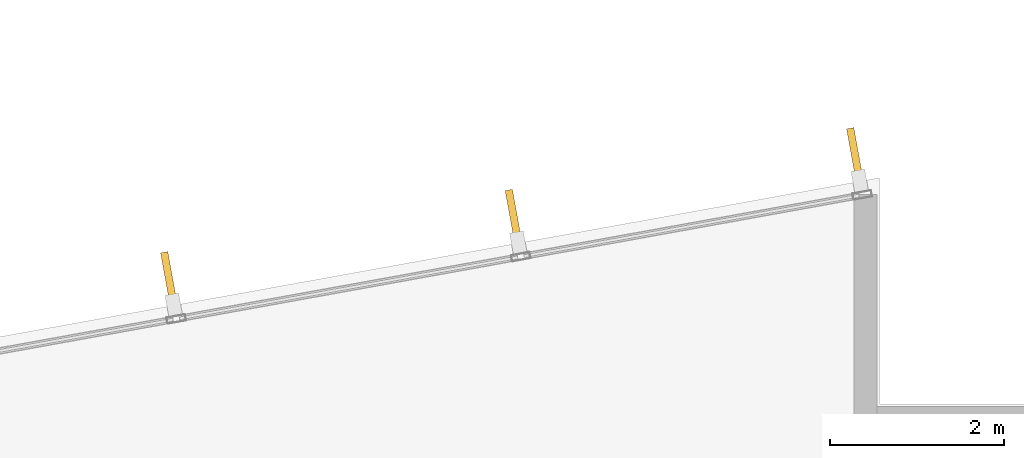
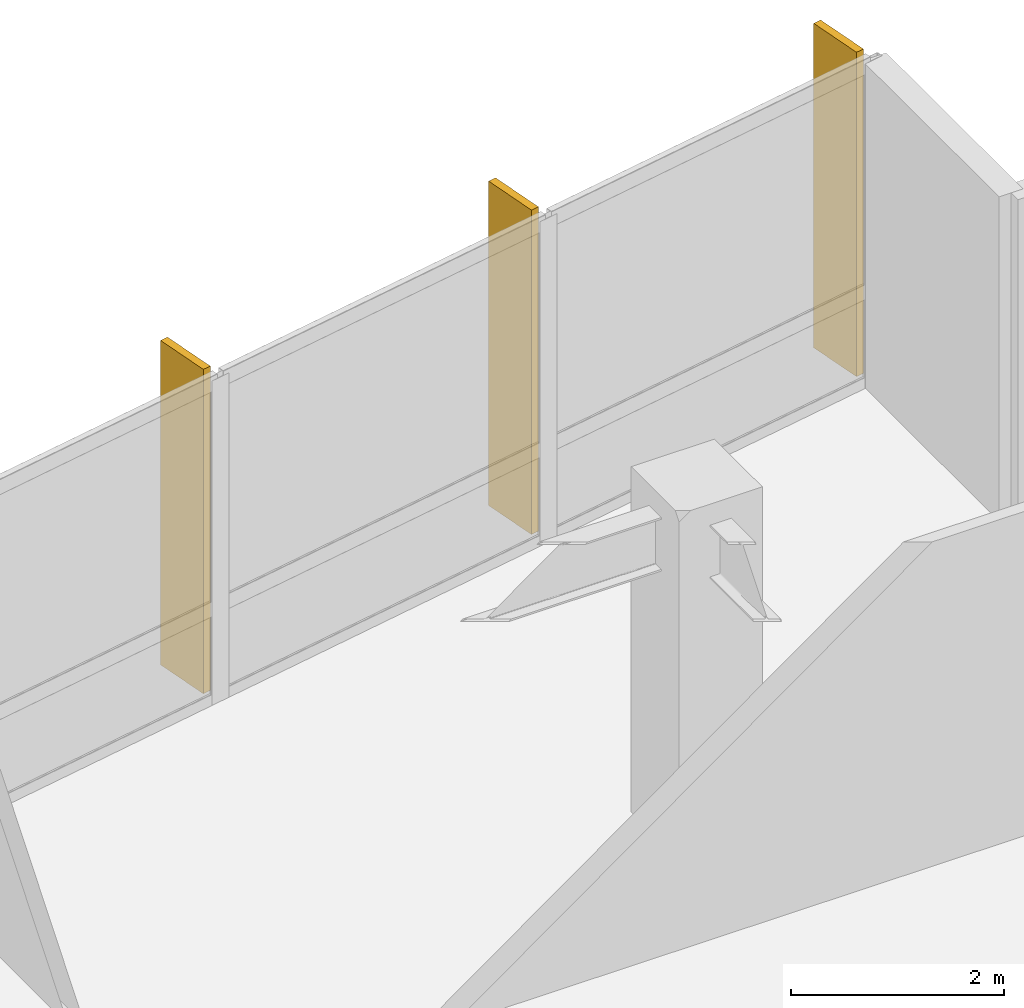
# One storey, part 20 of 20: 3 shading devices.
"""IFC4 building model written with IfcOpenShell, lengths in metres."""

from ifc_helpers import new_model, si_unit, direction, frame, origin, origin_2d, place, context, subcontext, project, spatial, rectangle, extrude, material, layer, layer_set, type_object, element, save


model = new_model("IFC4")

# Units and contexts
model_context = context("Model", 3, precision=1e-05, world=origin(), true_north=direction((0.0, 1.0)))
body_context = subcontext(model_context, "Body", "Model", "MODEL_VIEW")
ifc_project = project(units=[si_unit("LENGTHUNIT", "METRE"), si_unit("AREAUNIT", "SQUARE_METRE"), si_unit("VOLUMEUNIT", "CUBIC_METRE"), si_unit("PLANEANGLEUNIT", "RADIAN"), si_unit("MASSUNIT", "GRAM", prefix="KILO")], contexts=[model_context])

# Site, building, storey
site_placement = place(None, origin())
site = spatial("IfcSite", under=ifc_project, at=site_placement, CompositionType="ELEMENT")
building_placement = place(site_placement, origin())
building = spatial("IfcBuilding", under=site, at=building_placement, Name="Varnakote Quay Hospital", CompositionType="ELEMENT")
storey_placement = place(building_placement, frame((0.0, 0.0, 26.449951171875)))
storey = spatial("IfcBuildingStorey", under=building, at=storey_placement, Name="L06", CompositionType="ELEMENT", Elevation=26.449951171875)

# Shading devices
ifc_material = material(Name="Anodised aluminium 6063-T6 Bronze", Category="aluminium")
ifc_layer = layer(ifc_material, 0.0849609375)
ifc_layer_set = layer_set([ifc_layer], Name="Anodised aluminium 6063-T6 Bronze")
shading_device_type = type_object("IfcShadingDeviceType", Name="SHD-BRONZE-FIN-620", PredefinedType="USERDEFINED", material=ifc_layer_set)
for number, where, z_axis, x_axis, name in (
    (1, (55.319580078125, 34.664306640625, 0.0), (0.0, 0.0, 1.0), (0.177771795263, -0.984071739666, 0.0), "L06 Anodised Bronze Vertical Shading FIN"),
    (2, (51.393798828125, 33.954833984375, 0.0), (0.0, 0.0, 1.0), (0.177771795263, -0.984071739666, 0.0), "L06 Anodised Bronze Vertical Shading FIN"),
    (3, (47.43115234375, 33.23876953125, 0.0), (0.0, 0.0, 1.0), (0.177771795263, -0.984071739666, 0.0), "L06 Anodised Bronze Vertical Shading FIN"),
):
    element("IfcShadingDevice", number, at=place(storey_placement, frame(where, z_axis=z_axis, x_axis=x_axis)), inside=storey, type_object=shading_device_type, Name=name, ObjectType="FIN", PredefinedType="USERDEFINED", context=body_context, shape_type="SweptSolid", body=[
        extrude(rectangle(XDim=0.6201171875, YDim=0.0849609375, at=origin_2d()), origin(), (0.0, 0.0, 1.0), 3.7099609375),
    ])

save(model, "model.ifc")
